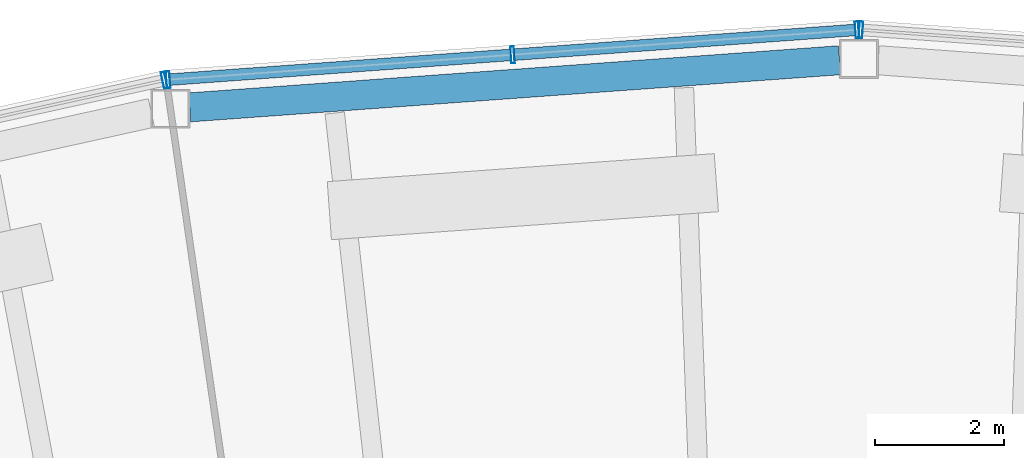
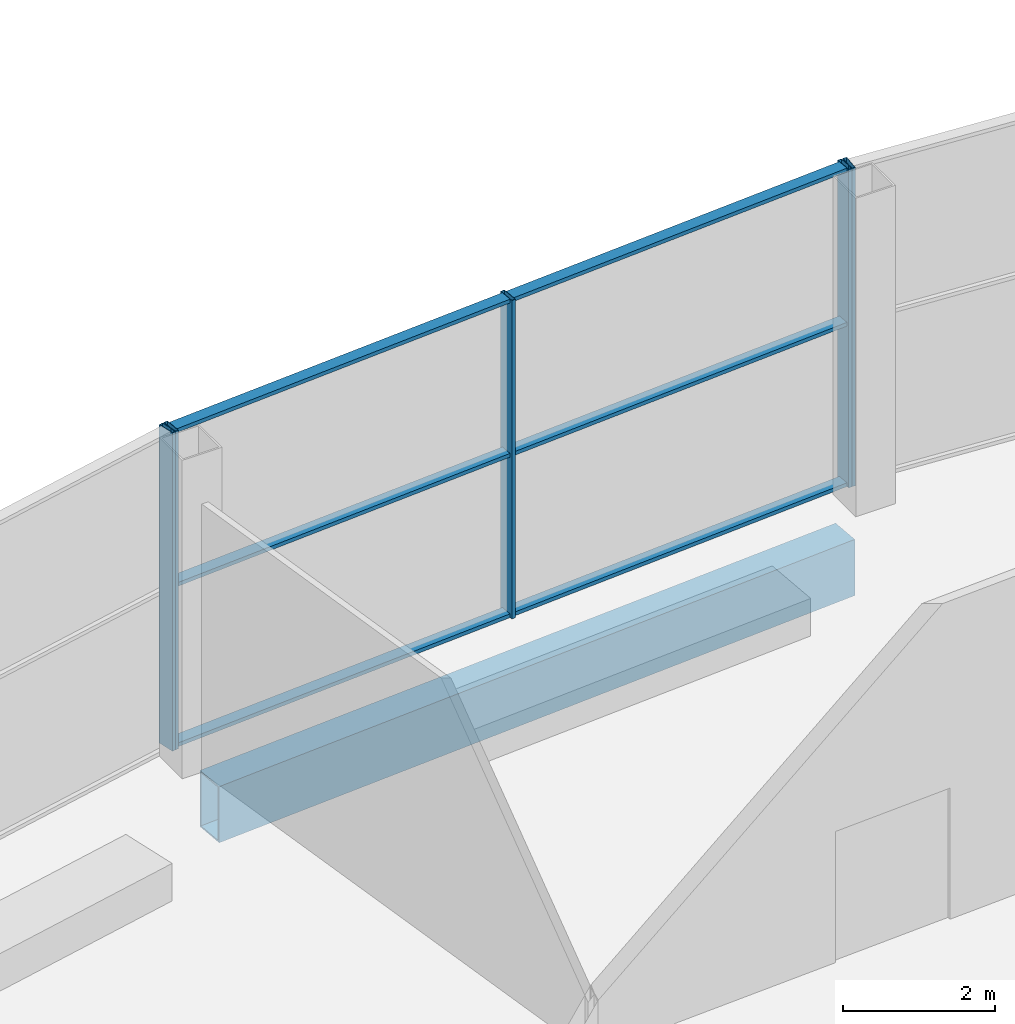
# One storey, part 18 of 43: 11 members, 1 beam, 3 elements without a shape of their own.
"""IFC4 building model written with IfcOpenShell, lengths in metres."""

from ifc_helpers import new_model, si_unit, direction, frame, origin, origin_2d, place, context, subcontext, project, spatial, hollow_rectangle, extrude, material, layer, layer_set, material_profile, profile_set, type_object, element, aggregate, save


model = new_model("IFC4")

# Units and contexts
model_context = context("Model", 3, precision=1e-05, world=origin(), true_north=direction((0.0, 1.0)))
body_context = subcontext(model_context, "Body", "Model", "MODEL_VIEW")
ifc_project = project(units=[si_unit("LENGTHUNIT", "METRE"), si_unit("AREAUNIT", "SQUARE_METRE"), si_unit("VOLUMEUNIT", "CUBIC_METRE"), si_unit("PLANEANGLEUNIT", "RADIAN"), si_unit("MASSUNIT", "GRAM", prefix="KILO")], contexts=[model_context])

# Site, building, storey
site_placement = place(None, origin())
site = spatial("IfcSite", under=ifc_project, at=site_placement, CompositionType="ELEMENT")
building_placement = place(site_placement, origin())
building = spatial("IfcBuilding", under=site, at=building_placement, Name="Tuul Gate Civic Tower", CompositionType="ELEMENT")
storey_placement = place(building_placement, frame((0.0, 0.0, 349.10009765625)))
storey = spatial("IfcBuildingStorey", under=building, at=storey_placement, Name="Observation level 1", CompositionType="ELEMENT", Elevation=349.10009765625)

# Curtain wall, member
ifc_material_1 = material(Name="Stainless steel", Category="steel")
ifc_layer = layer(ifc_material_1, 0.199951171875)
ifc_layer_set = layer_set([ifc_layer], Name="Stainless steel")
curtain_wall_type = type_object("IfcCurtainWallType", Name="Curtain wall CW4", PredefinedType="NOTDEFINED", material=ifc_layer_set)
curtain_wall_1_placement = place(storey_placement, origin())
curtain_wall_1 = element("IfcCurtainWall", 1, at=curtain_wall_1_placement, inside=storey, type_object=curtain_wall_type, Name="Curtain wall CW4", PredefinedType="NOTDEFINED")
ifc_material_2 = material(Name="Stainless steel", Category="steel")
ifc_material_profile_1 = material_profile(ifc_material_2, hollow_rectangle(XDim=0.260009765625, YDim=0.06005859375, WallThickness=0.006103515625, at=origin_2d()), Name="CW4 mullion")
ifc_profile_set_1 = profile_set([ifc_material_profile_1], Name="Stainless steel")
member_type_1 = type_object("IfcMemberType", Name="CW4 mullion", PredefinedType="MULLION", material=ifc_profile_set_1)
member_1_placement = place(storey_placement, frame((2.221923828125, 14.27685546875, 0.0), z_axis=(0.0, 0.0, 1.0), x_axis=(-0.07223936563, -0.997387323989, 0.0)))
member_1 = element("IfcMember", 2, at=member_1_placement, type_object=member_type_1, Name="Mullion", PredefinedType="MULLION", context=body_context, shape_type="SweptSolid", body=[
    extrude(hollow_rectangle(XDim=0.260009765625, YDim=0.06005859375, WallThickness=0.006103515625, at=origin_2d()), origin(), (0.0, 0.0, 1.0), 5.099853515625),
])
aggregate(curtain_wall_1, [member_1])

# Curtain wall, members
curtain_wall_2_placement = place(storey_placement, origin())
curtain_wall_2 = element("IfcCurtainWall", 3, at=curtain_wall_2_placement, inside=storey, type_object=curtain_wall_type, Name="Curtain wall CW4", PredefinedType="NOTDEFINED")
member_2_placement = place(storey_placement, frame((2.162109375, 14.27685546875, 0.0), z_axis=(0.0, 0.0, 1.0), x_axis=(0.07223936563, -0.997387323989, 0.0)))
member_2 = element("IfcMember", 4, at=member_2_placement, type_object=member_type_1, Name="Mullion", PredefinedType="MULLION", context=body_context, shape_type="SweptSolid", body=[
    extrude(hollow_rectangle(XDim=0.260009765625, YDim=0.06005859375, WallThickness=0.006103515625, at=origin_2d()), origin(), (0.0, 0.0, 1.0), 5.099853515625),
])
member_3_placement = place(storey_placement, frame((-3.1650390625, 13.89111328125, 0.0), z_axis=(0.0, 0.0, 1.0), x_axis=(0.07223936563, -0.997387323989, 0.0)))
member_3 = element("IfcMember", 5, at=member_3_placement, type_object=member_type_1, Name="Mullion", PredefinedType="MULLION", context=body_context, shape_type="SweptSolid", body=[
    extrude(hollow_rectangle(XDim=0.260009765625, YDim=0.06005859375, WallThickness=0.006103515625, at=origin_2d()), origin(), (0.0, 0.0, 1.0), 5.099853515625),
])
member_4_placement = place(storey_placement, frame((-8.4921875, 13.505126953125, 0.0), z_axis=(0.0, 0.0, 1.0), x_axis=(0.07223936563, -0.997387323989, 0.0)))
member_4 = element("IfcMember", 6, at=member_4_placement, type_object=member_type_1, Name="Mullion", PredefinedType="MULLION", context=body_context, shape_type="SweptSolid", body=[
    extrude(hollow_rectangle(XDim=0.260009765625, YDim=0.06005859375, WallThickness=0.006103515625, at=origin_2d()), origin(), (0.0, 0.0, 1.0), 5.099853515625),
])

# Curtain wall, member
curtain_wall_3_placement = place(storey_placement, origin())
curtain_wall_3 = element("IfcCurtainWall", 7, at=curtain_wall_3_placement, inside=storey, type_object=curtain_wall_type, Name="Curtain wall CW4", PredefinedType="NOTDEFINED")
member_5_placement = place(storey_placement, frame((-8.55126953125, 13.49658203125, 0.0), z_axis=(0.0, 0.0, 1.0), x_axis=(0.215215147882, -0.976566659334, 0.0)))
member_5 = element("IfcMember", 8, at=member_5_placement, type_object=member_type_1, Name="Mullion", PredefinedType="MULLION", context=body_context, shape_type="SweptSolid", body=[
    extrude(hollow_rectangle(XDim=0.260009765625, YDim=0.06005859375, WallThickness=0.006103515625, at=origin_2d()), origin(), (0.0, 0.0, 1.0), 5.099853515625),
])
aggregate(curtain_wall_3, [member_5])

# Member
ifc_material_3 = material(Name="Stainless steel", Category="steel")
ifc_material_profile_2 = material_profile(ifc_material_3, hollow_rectangle(XDim=0.179931640625, YDim=0.06005859375, WallThickness=0.006103515625, at=origin_2d()), Name="CW4 transom")
ifc_profile_set_2 = profile_set([ifc_material_profile_2], Name="Stainless steel")
member_type_2 = type_object("IfcMemberType", Name="CW4 transom", PredefinedType="USERDEFINED", material=ifc_profile_set_2)
member_6_placement = place(storey_placement, frame((2.132080078125, 14.274658203125, 0.02978515625), z_axis=(-0.997385906721, -0.072258930759, 0.0), x_axis=(0.072258930759, -0.997385906721, 0.0)))
member_6 = element("IfcMember", 9, at=member_6_placement, type_object=member_type_2, Name="Transom", ObjectType="TRANSOM", PredefinedType="USERDEFINED", context=body_context, shape_type="SweptSolid", body=[
    extrude(hollow_rectangle(XDim=0.179931640625, YDim=0.06005859375, WallThickness=0.006103515625, at=origin_2d()), origin(), (0.0, 0.0, 1.0), 5.281005859375),
])

member_7_placement = place(storey_placement, frame((2.132080078125, 14.274658203125, 2.599853515625), z_axis=(-0.997385906721, -0.072258930759, 0.0), x_axis=(0.072258930759, -0.997385906721, 0.0)))
member_7 = element("IfcMember", 10, at=member_7_placement, type_object=member_type_2, Name="Transom", ObjectType="TRANSOM", PredefinedType="USERDEFINED", context=body_context, shape_type="SweptSolid", body=[
    extrude(hollow_rectangle(XDim=0.179931640625, YDim=0.06005859375, WallThickness=0.006103515625, at=origin_2d()), origin(), (0.0, 0.0, 1.0), 5.281005859375),
])

member_8_placement = place(storey_placement, frame((2.132080078125, 14.274658203125, 5.06982421875), z_axis=(-0.997385906721, -0.072258930759, 0.0), x_axis=(0.072258930759, -0.997385906721, 0.0)))
member_8 = element("IfcMember", 11, at=member_8_placement, type_object=member_type_2, Name="Transom", ObjectType="TRANSOM", PredefinedType="USERDEFINED", context=body_context, shape_type="SweptSolid", body=[
    extrude(hollow_rectangle(XDim=0.179931640625, YDim=0.06005859375, WallThickness=0.006103515625, at=origin_2d()), origin(), (0.0, 0.0, 1.0), 5.281005859375),
])

member_9_placement = place(storey_placement, frame((-3.19482421875, 13.888916015625, 0.02978515625), z_axis=(-0.997386148092, -0.072255599048, 0.0), x_axis=(0.072255599048, -0.997386148092, 0.0)))
member_9 = element("IfcMember", 12, at=member_9_placement, type_object=member_type_2, Name="Transom", ObjectType="TRANSOM", PredefinedType="USERDEFINED", context=body_context, shape_type="SweptSolid", body=[
    extrude(hollow_rectangle(XDim=0.179931640625, YDim=0.06005859375, WallThickness=0.006103515625, at=origin_2d()), origin(), (0.0, 0.0, 1.0), 5.28125),
])

member_10_placement = place(storey_placement, frame((-3.19482421875, 13.888916015625, 2.599853515625), z_axis=(-0.997386148092, -0.072255599048, 0.0), x_axis=(0.072255599048, -0.997386148092, 0.0)))
member_10 = element("IfcMember", 13, at=member_10_placement, type_object=member_type_2, Name="Transom", ObjectType="TRANSOM", PredefinedType="USERDEFINED", context=body_context, shape_type="SweptSolid", body=[
    extrude(hollow_rectangle(XDim=0.179931640625, YDim=0.06005859375, WallThickness=0.006103515625, at=origin_2d()), origin(), (0.0, 0.0, 1.0), 5.28125),
])

member_11_placement = place(storey_placement, frame((-3.19482421875, 13.888916015625, 5.06982421875), z_axis=(-0.997386148092, -0.072255599048, 0.0), x_axis=(0.072255599048, -0.997386148092, 0.0)))
member_11 = element("IfcMember", 14, at=member_11_placement, type_object=member_type_2, Name="Transom", ObjectType="TRANSOM", PredefinedType="USERDEFINED", context=body_context, shape_type="SweptSolid", body=[
    extrude(hollow_rectangle(XDim=0.179931640625, YDim=0.06005859375, WallThickness=0.006103515625, at=origin_2d()), origin(), (0.0, 0.0, 1.0), 5.28125),
])

aggregate(curtain_wall_2, [member_2, member_3, member_4, member_6, member_7, member_8, member_9, member_10, member_11])

# Beam
ifc_material_4 = material(Name="Steel S355", Category="steel")
ifc_material_profile_3 = material_profile(ifc_material_4, hollow_rectangle(XDim=0.449951171875, YDim=0.89990234375, WallThickness=0.02490234375, at=origin_2d()), Name="BOX900x450x25")
ifc_profile_set_3 = profile_set([ifc_material_profile_3], Name="Steel S355")
beam_type = type_object("IfcBeamType", Name="STR-SPANDREL BEAM-BOX900x450x25", PredefinedType="BEAM", material=ifc_profile_set_3)
beam_placement = place(storey_placement, frame((1.892822265625, 13.806396484375, -0.85009765625), z_axis=(-0.997381504519, -0.072319668448, 0.0), x_axis=(0.072319668448, -0.997381504519, 0.0)))
element("IfcBeam", 15, at=beam_placement, inside=storey, type_object=beam_type, Name="Spandrel beam", PredefinedType="BEAM", context=body_context, shape_type="SweptSolid", body=[
    extrude(hollow_rectangle(XDim=0.449951171875, YDim=0.89990234375, WallThickness=0.02490234375, at=origin_2d()), origin(), (0.0, 0.0, 1.0), 10.076904296875),
])

save(model, "model.ifc")
